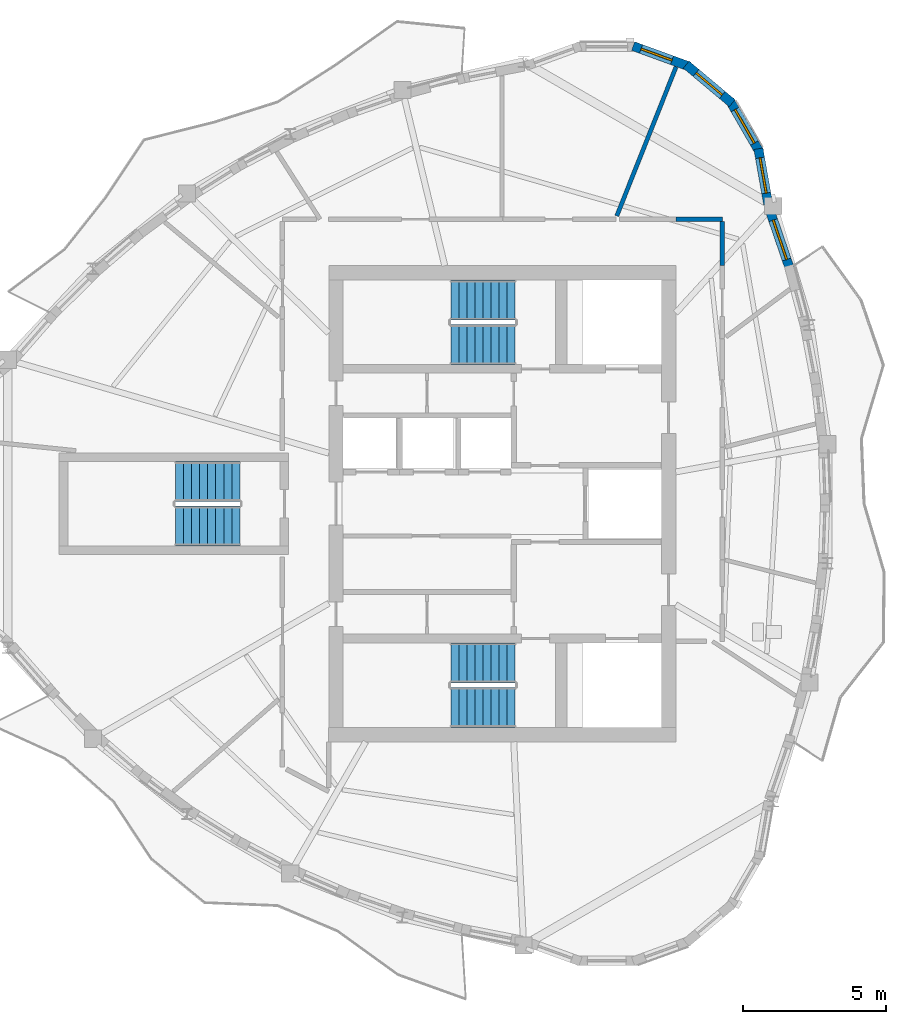
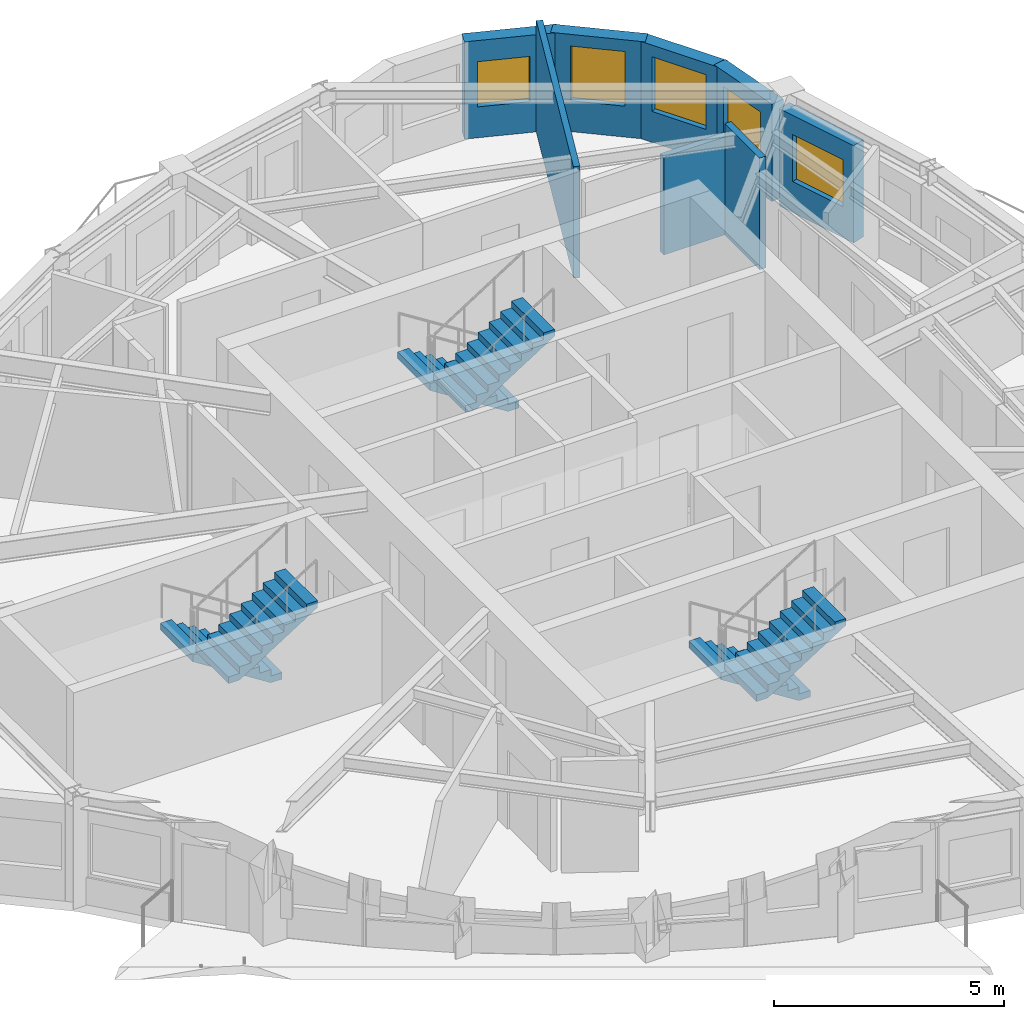
# One storey, part 7 of 11: 8 walls, 6 stair flights, 5 windows, 5 openings, 3 elements without a shape of their own.
"""IFC4 building model written with IfcOpenShell, lengths in metres."""

from ifc_helpers import new_model, si_unit, direction, frame, frame_2d, origin, place, context, subcontext, project, spatial, polyline, rectangle, outline, extrude, source, transform, mapped, material, layer, layer_set, type_object, element, fill, aggregate, save


model = new_model("IFC4")

# Units and contexts
model_context = context("Model", 3, precision=1e-05, world=origin(), true_north=direction((0.0, 1.0)))
body_context = subcontext(model_context, "Body", "Model", "MODEL_VIEW")
ifc_project = project(units=[si_unit("LENGTHUNIT", "METRE"), si_unit("AREAUNIT", "SQUARE_METRE"), si_unit("VOLUMEUNIT", "CUBIC_METRE"), si_unit("PLANEANGLEUNIT", "RADIAN"), si_unit("MASSUNIT", "GRAM", prefix="KILO")], contexts=[model_context])

# Site, building, storey
site_placement = place(None, origin())
site = spatial("IfcSite", under=ifc_project, at=site_placement, CompositionType="ELEMENT")
building_placement = place(site_placement, origin())
building = spatial("IfcBuilding", under=site, at=building_placement, Name="Qafzar Sky-Pleat Residences", CompositionType="ELEMENT")
storey_placement = place(building_placement, frame((0.0, 0.0, 240.39990234375)))
storey = spatial("IfcBuildingStorey", under=building, at=storey_placement, Name="L72", CompositionType="ELEMENT", Elevation=240.39990234375)

# Walls
ifc_material_1 = material(Name="Acoustic gypsum plasterboard partition", Category="gypsum")
ifc_layer_1 = layer(ifc_material_1, 0.159912109375)
ifc_layer_set_1 = layer_set([ifc_layer_1], Name="Acoustic gypsum plasterboard partition")
wall_type_1 = type_object("IfcWallType", Name="PART-COR-160", PredefinedType="PARTITIONING", material=ifc_layer_set_1)
wall_1_placement = place(storey_placement, frame((36.4150390625, 35.919921875, 0.0), z_axis=(0.0, 0.0, 1.0), x_axis=(1.0, 0.0, 0.0)))
element("IfcWall", 1, at=wall_1_placement, inside=storey, type_object=wall_type_1, Name="L72 Partition Wall PART-L72-PW-024", PredefinedType="PARTITIONING", context=body_context, shape_type="SweptSolid", body=[
    extrude(rectangle(XDim=1.60498046875, YDim=0.159912109375, at=frame_2d((0.802490234375, 0.0))), origin(), (0.0, 0.0, 1.0), 2.59814453125),
])
wall_2_placement = place(storey_placement, frame((38.02001953125, 34.31494140625, 0.0), z_axis=(0.0, 0.0, 1.0), x_axis=(0.0, 1.0, 0.0)))
element("IfcWall", 2, at=wall_2_placement, inside=storey, type_object=wall_type_1, Name="L72 Partition Wall PART-L72-PW-025", PredefinedType="PARTITIONING", context=body_context, shape_type="SweptSolid", body=[
    extrude(rectangle(XDim=1.51708984375, YDim=0.159912109375, at=frame_2d((0.758544921875, 0.0))), origin(), (0.0, 0.0, 1.0), 2.960205078125),
])
ifc_layer_2 = layer(ifc_material_1, 0.14501953125)
ifc_layer_set_2 = layer_set([ifc_layer_2], Name="Acoustic gypsum plasterboard partition")
wall_type_2 = type_object("IfcWallType", Name="PART-UNIT-145", PredefinedType="PARTITIONING", material=ifc_layer_set_2)
wall_3_placement = place(storey_placement, frame((34.342529296875, 36.0341796875, 0.0), z_axis=(0.0, 0.0, 1.0), x_axis=(0.369712016487, 0.92914639582, 0.0)))
element("IfcWall", 3, at=wall_3_placement, inside=storey, type_object=wall_type_2, Name="L72 Partition Wall PART-L72-PW-011", PredefinedType="PARTITIONING", context=body_context, shape_type="SweptSolid", body=[
    extrude(rectangle(XDim=5.59375, YDim=0.14501953125, at=frame_2d((2.796875, 0.0))), origin(), (0.0, 0.0, 1.0), 2.960205078125),
])

# Wall, opening, window
ifc_material_2 = material(Name="Precast concrete C40/50 with honed Riyadh limestone", Category="concrete")
ifc_layer_3 = layer(ifc_material_2, 0.320068359375)
ifc_layer_set_3 = layer_set([ifc_layer_3], Name="Precast concrete C40/50 with honed Riyadh limestone")
wall_type_3 = type_object("IfcWallType", Name="WALL-EXT-320", PredefinedType="SOLIDWALL", material=ifc_layer_set_3)
wall_4_placement = place(storey_placement, frame((40.3662109375, 34.21923828125, 0.0), z_axis=(0.0, 0.0, 1.0), x_axis=(-0.32370378462, 0.946158475004, 0.0)))
wall_4 = element("IfcWall", 4, at=wall_4_placement, inside=storey, type_object=wall_type_3, Name="L72 Limestone Facade Wall 32", PredefinedType="SOLIDWALL", context=body_context, shape_type="SweptSolid", body=[
    extrude(rectangle(XDim=2.142822265625, YDim=0.320068359375, at=frame_2d((1.0712890625, 0.0))), origin(), (0.0, 0.0, 1.0), 2.580078125),
])
opening_1_placement = place(wall_4_placement, frame((0.311279296875, 0.0, 0.820068359375)))
opening_1 = element("IfcOpeningElement", 5, at=opening_1_placement, cuts=wall_4, Name="Opening WN-15", PredefinedType="OPENING", context=body_context, shape_type="SweptSolid", body=[
    extrude(rectangle(XDim=1.449951171875, YDim=1.25, at=frame_2d((0.72509765625, 0.625))), frame((0.0, 0.169921875, 0.0), z_axis=(0.0, -1.0, 0.0), x_axis=(1.0, 0.0, 0.0)), (0.0, 0.0, 1.0), 0.340087890625),
])
ifc_material_3 = material(Name="Solar-control low-E glass in bronze aluminium frame", Category="glass")
window_type_1 = type_object("IfcWindowType", Name="WIN-15", PartitioningType="SINGLE_PANEL", PredefinedType="WINDOW", material=ifc_material_3)
shared_shape_1 = source(origin(), body_context, "Body", "SweptSolid", [
    extrude(rectangle(XDim=1.449951171875, YDim=1.25, at=frame_2d((0.72509765625, 0.625))), frame((0.0, 0.030029296875, 0.0), z_axis=(0.0, -1.0, 0.0), x_axis=(1.0, 0.0, 0.0)), (0.0, 0.0, 1.0), 0.06005859375),
])
window_1_placement = place(opening_1_placement, origin())
window_1 = element("IfcWindow", 6, at=window_1_placement, inside=storey, type_object=window_type_1, Name="L72 Punched Facade Window 32", OverallHeight=1.25, OverallWidth=1.449951171875, PartitioningType="SINGLE_PANEL", PredefinedType="WINDOW", context=body_context, shape_type="MappedRepresentation", body=[
    mapped(shared_shape_1, transform((0.0, 0.0, 0.0), x_axis=(1.0, 0.0, 0.0), y_axis=(0.0, 1.0, 0.0), z_axis=(0.0, 0.0, 1.0), scale=1.0)),
])
fill(opening_1, window_1)

wall_5_placement = place(storey_placement, frame((39.621826171875, 36.4443359375, 0.0), z_axis=(0.0, 0.0, 1.0), x_axis=(-0.173671780312, 0.984803590937, 0.0)))
wall_5 = element("IfcWall", 7, at=wall_5_placement, inside=storey, type_object=wall_type_3, Name="L72 Limestone Facade Wall 33", PredefinedType="SOLIDWALL", context=body_context, shape_type="SweptSolid", body=[
    extrude(rectangle(XDim=1.96240234375, YDim=0.320068359375, at=frame_2d((0.981201171875, 0.0))), origin(), (0.0, 0.0, 1.0), 2.580078125),
])
opening_2_placement = place(wall_5_placement, frame((0.39111328125, 0.0, 0.820068359375)))
opening_2 = element("IfcOpeningElement", 8, at=opening_2_placement, cuts=wall_5, Name="Opening WN-11", PredefinedType="OPENING", context=body_context, shape_type="SweptSolid", body=[
    extrude(rectangle(XDim=1.25, YDim=1.35009765625, at=frame_2d((0.625, 0.675048828125))), frame((0.0, 0.169921875, 0.0), z_axis=(0.0, -1.0, 0.0), x_axis=(1.0, 0.0, 0.0)), (0.0, 0.0, 1.0), 0.340087890625),
])
window_type_2 = type_object("IfcWindowType", Name="WIN-11", PartitioningType="SINGLE_PANEL", PredefinedType="WINDOW", material=ifc_material_3)
shared_shape_2 = source(origin(), body_context, "Body", "SweptSolid", [
    extrude(rectangle(XDim=1.25, YDim=1.35009765625, at=frame_2d((0.625, 0.675048828125))), frame((0.0, 0.030029296875, 0.0), z_axis=(0.0, -1.0, 0.0), x_axis=(1.0, 0.0, 0.0)), (0.0, 0.0, 1.0), 0.06005859375),
])
window_2_placement = place(opening_2_placement, origin())
window_2 = element("IfcWindow", 9, at=window_2_placement, inside=storey, type_object=window_type_2, Name="L72 Punched Facade Window 33", OverallHeight=1.35009765625, OverallWidth=1.25, PartitioningType="SINGLE_PANEL", PredefinedType="WINDOW", context=body_context, shape_type="MappedRepresentation", body=[
    mapped(shared_shape_2, transform((0.0, 0.0, 0.0), x_axis=(1.0, 0.0, 0.0), y_axis=(0.0, 1.0, 0.0), z_axis=(0.0, 0.0, 1.0), scale=1.0)),
])
fill(opening_2, window_2)

wall_6_placement = place(storey_placement, frame((39.32568359375, 38.25439453125, 0.0), z_axis=(0.0, 0.0, 1.0), x_axis=(-0.499995423472, 0.866028046028, 0.0)))
wall_6 = element("IfcWall", 10, at=wall_6_placement, inside=storey, type_object=wall_type_3, Name="L72 Limestone Facade Wall 34", PredefinedType="SOLIDWALL", context=body_context, shape_type="SweptSolid", body=[
    extrude(rectangle(XDim=2.09033203125, YDim=0.320068359375, at=frame_2d((1.045166015625, 0.0))), origin(), (0.0, 0.0, 1.0), 2.580078125),
])
opening_3_placement = place(wall_6_placement, frame((0.3701171875, 0.0, 0.820068359375)))
opening_3 = element("IfcOpeningElement", 11, at=opening_3_placement, cuts=wall_6, Name="Opening WN-04", PredefinedType="OPENING", context=body_context, shape_type="SweptSolid", body=[
    extrude(rectangle(XDim=1.35009765625, YDim=1.449951171875, at=frame_2d((0.675048828125, 0.72509765625))), frame((0.0, 0.169921875, 0.0), z_axis=(0.0, -1.0, 0.0), x_axis=(1.0, 0.0, 0.0)), (0.0, 0.0, 1.0), 0.340087890625),
])
window_type_3 = type_object("IfcWindowType", Name="WIN-04", PartitioningType="SINGLE_PANEL", PredefinedType="WINDOW", material=ifc_material_3)
shared_shape_3 = source(origin(), body_context, "Body", "SweptSolid", [
    extrude(rectangle(XDim=1.35009765625, YDim=1.449951171875, at=frame_2d((0.675048828125, 0.72509765625))), frame((0.0, 0.030029296875, 0.0), z_axis=(0.0, -1.0, 0.0), x_axis=(1.0, 0.0, 0.0)), (0.0, 0.0, 1.0), 0.06005859375),
])
window_3_placement = place(opening_3_placement, origin())
window_3 = element("IfcWindow", 12, at=window_3_placement, inside=storey, type_object=window_type_3, Name="L72 Punched Facade Window 34", OverallHeight=1.449951171875, OverallWidth=1.35009765625, PartitioningType="SINGLE_PANEL", PredefinedType="WINDOW", context=body_context, shape_type="MappedRepresentation", body=[
    mapped(shared_shape_3, transform((0.0, 0.0, 0.0), x_axis=(1.0, 0.0, 0.0), y_axis=(0.0, 1.0, 0.0), z_axis=(0.0, 0.0, 1.0), scale=1.0)),
])
fill(opening_3, window_3)

wall_7_placement = place(storey_placement, frame((38.364501953125, 39.96484375, 0.0), z_axis=(0.0, 0.0, 1.0), x_axis=(-0.766072824549, 0.642753784499, 0.0)))
wall_7 = element("IfcWall", 13, at=wall_7_placement, inside=storey, type_object=wall_type_3, Name="L72 Limestone Facade Wall 35", PredefinedType="SOLIDWALL", context=body_context, shape_type="SweptSolid", body=[
    extrude(rectangle(XDim=2.090576171875, YDim=0.320068359375, at=frame_2d((1.04541015625, 0.0))), origin(), (0.0, 0.0, 1.0), 2.580078125),
])
opening_4_placement = place(wall_7_placement, frame((0.4453125, 0.0, 0.820068359375)))
opening_4 = element("IfcOpeningElement", 14, at=opening_4_placement, cuts=wall_7, Name="Opening WN-05", PredefinedType="OPENING", context=body_context, shape_type="SweptSolid", body=[
    extrude(rectangle(XDim=1.199951171875, YDim=1.449951171875, at=frame_2d((0.60009765625, 0.72509765625))), frame((0.0, 0.169921875, 0.0), z_axis=(0.0, -1.0, 0.0), x_axis=(1.0, 0.0, 0.0)), (0.0, 0.0, 1.0), 0.340087890625),
])
window_type_4 = type_object("IfcWindowType", Name="WIN-05", PartitioningType="SINGLE_PANEL", PredefinedType="WINDOW", material=ifc_material_3)
shared_shape_4 = source(origin(), body_context, "Body", "SweptSolid", [
    extrude(rectangle(XDim=1.199951171875, YDim=1.449951171875, at=frame_2d((0.60009765625, 0.72509765625))), frame((0.0, 0.030029296875, 0.0), z_axis=(0.0, -1.0, 0.0), x_axis=(1.0, 0.0, 0.0)), (0.0, 0.0, 1.0), 0.06005859375),
])
window_4_placement = place(opening_4_placement, origin())
window_4 = element("IfcWindow", 15, at=window_4_placement, inside=storey, type_object=window_type_4, Name="L72 Punched Facade Window 35", OverallHeight=1.449951171875, OverallWidth=1.199951171875, PartitioningType="SINGLE_PANEL", PredefinedType="WINDOW", context=body_context, shape_type="MappedRepresentation", body=[
    mapped(shared_shape_4, transform((0.0, 0.0, 0.0), x_axis=(1.0, 0.0, 0.0), y_axis=(0.0, 1.0, 0.0), z_axis=(0.0, 0.0, 1.0), scale=1.0)),
])
fill(opening_4, window_4)

wall_8_placement = place(storey_placement, frame((36.8759765625, 41.243408203125, 0.0), z_axis=(0.0, 0.0, 1.0), x_axis=(-0.93973543134, 0.341902499383, 0.0)))
wall_8 = element("IfcWall", 16, at=wall_8_placement, inside=storey, type_object=wall_type_3, Name="L72 Limestone Facade Wall 36", PredefinedType="SOLIDWALL", context=body_context, shape_type="SweptSolid", body=[
    extrude(rectangle(XDim=2.090087890625, YDim=0.320068359375, at=frame_2d((1.044921875, 0.0))), origin(), (0.0, 0.0, 1.0), 2.580078125),
])
opening_5_placement = place(wall_8_placement, frame((0.646484375, 0.0, 0.820068359375)))
opening_5 = element("IfcOpeningElement", 17, at=opening_5_placement, cuts=wall_8, Name="Opening WN-16", PredefinedType="OPENING", context=body_context, shape_type="SweptSolid", body=[
    extrude(rectangle(XDim=1.14990234375, YDim=1.199951171875, at=frame_2d((0.574951171875, 0.60009765625))), frame((0.0, 0.169921875, 0.0), z_axis=(0.0, -1.0, 0.0), x_axis=(1.0, 0.0, 0.0)), (0.0, 0.0, 1.0), 0.340087890625),
])
window_type_5 = type_object("IfcWindowType", Name="WIN-16", PartitioningType="SINGLE_PANEL", PredefinedType="WINDOW", material=ifc_material_3)
shared_shape_5 = source(origin(), body_context, "Body", "SweptSolid", [
    extrude(rectangle(XDim=1.14990234375, YDim=1.199951171875, at=frame_2d((0.574951171875, 0.60009765625))), frame((0.0, 0.030029296875, 0.0), z_axis=(0.0, -1.0, 0.0), x_axis=(1.0, 0.0, 0.0)), (0.0, 0.0, 1.0), 0.06005859375),
])
window_5_placement = place(opening_5_placement, origin())
window_5 = element("IfcWindow", 18, at=window_5_placement, inside=storey, type_object=window_type_5, Name="L72 Punched Facade Window 36-2", OverallHeight=1.199951171875, OverallWidth=1.14990234375, PartitioningType="SINGLE_PANEL", PredefinedType="WINDOW", context=body_context, shape_type="MappedRepresentation", body=[
    mapped(shared_shape_5, transform((0.0, 0.0, 0.0), x_axis=(1.0, 0.0, 0.0), y_axis=(0.0, 1.0, 0.0), z_axis=(0.0, 0.0, 1.0), scale=1.0)),
])
fill(opening_5, window_5)

# Stair, stair flights
ifc_material_4 = material(Name="Concrete C40/50", Category="concrete")
stair_type = type_object("IfcStairType", Name="STAIR-H320", PredefinedType="HALF_TURN_STAIR", material=ifc_material_4)
stair_1_placement = place(storey_placement, origin())
stair_1 = element("IfcStair", 19, at=stair_1_placement, inside=storey, type_object=stair_type, Name="L72 Protected Exit Stair ST1", PredefinedType="HALF_TURN_STAIR")
stair_flight_type = type_object("IfcStairFlightType", Name="FLIGHT-H320", PredefinedType="STRAIGHT", material=ifc_material_4)
shared_shape_6 = source(origin(), body_context, "Body", "SweptSolid", [
    extrude(outline(polyline([(0.0, 0.0), (0.0, 0.177734375), (0.280029296875, 0.177734375), (0.280029296875, 0.35546875), (0.56005859375, 0.35546875), (0.56005859375, 0.533447265625), (0.840087890625, 0.533447265625), (0.840087890625, 0.711181640625), (1.1201171875, 0.711181640625), (1.1201171875, 0.888916015625), (1.39990234375, 0.888916015625), (1.39990234375, 1.066650390625), (1.679931640625, 1.066650390625), (1.679931640625, 1.244384765625), (1.9599609375, 1.244384765625), (1.9599609375, 1.422119140625), (2.239990234375, 1.422119140625), (2.239990234375, 1.60009765625), (2.239990234375, 1.24462890625), (0.27978515625, 0.0), (0.0, 0.0)])), frame((0.0, 0.699951171875, 0.0), z_axis=(0.0, -1.0, 0.0), x_axis=(1.0, 0.0, 0.0)), (0.0, 0.0, 1.0), 1.39990234375),
])
stair_flight_1_placement = place(storey_placement, frame((30.800048828125, 20.449951171875, 0.0), z_axis=(0.0, 0.0, 1.0), x_axis=(-1.0, 0.0, 0.0)))
stair_flight_1 = element("IfcStairFlight", 20, at=stair_flight_1_placement, type_object=stair_flight_type, Name="ST1 flight 1", NumberOfRisers=9, NumberOfTreads=8, PredefinedType="STRAIGHT", RiserHeight=0.177777778, TreadLength=0.28, context=body_context, shape_type="MappedRepresentation", body=[
    mapped(shared_shape_6, transform((0.0, 0.0, 0.0), x_axis=(1.0, 0.0, 0.0), y_axis=(0.0, 1.0, 0.0), z_axis=(0.0, 0.0, 1.0), scale=1.0)),
])
stair_flight_2_placement = place(storey_placement, frame((28.56005859375, 18.89990234375, 1.60009765625), z_axis=(0.0, 0.0, 1.0), x_axis=(1.0, 0.0, 0.0)))
stair_flight_2 = element("IfcStairFlight", 21, at=stair_flight_2_placement, type_object=stair_flight_type, Name="ST1 flight 2", NumberOfRisers=9, NumberOfTreads=8, PredefinedType="STRAIGHT", RiserHeight=0.177777778, TreadLength=0.28, context=body_context, shape_type="MappedRepresentation", body=[
    mapped(shared_shape_6, transform((0.0, 0.0, 0.0), x_axis=(1.0, 0.0, 0.0), y_axis=(0.0, 1.0, 0.0), z_axis=(0.0, 0.0, 1.0), scale=1.0)),
])
aggregate(stair_1, [stair_flight_1, stair_flight_2])

stair_2_placement = place(storey_placement, origin())
stair_2 = element("IfcStair", 22, at=stair_2_placement, inside=storey, type_object=stair_type, Name="L72 Protected Exit Stair ST2", PredefinedType="HALF_TURN_STAIR")
stair_flight_3_placement = place(storey_placement, frame((30.800048828125, 33.10009765625, 0.0), z_axis=(0.0, 0.0, 1.0), x_axis=(-1.0, 0.0, 0.0)))
stair_flight_3 = element("IfcStairFlight", 23, at=stair_flight_3_placement, type_object=stair_flight_type, Name="ST2 flight 1", NumberOfRisers=9, NumberOfTreads=8, PredefinedType="STRAIGHT", RiserHeight=0.177777778, TreadLength=0.28, context=body_context, shape_type="MappedRepresentation", body=[
    mapped(shared_shape_6, transform((0.0, 0.0, 0.0), x_axis=(1.0, 0.0, 0.0), y_axis=(0.0, 1.0, 0.0), z_axis=(0.0, 0.0, 1.0), scale=1.0)),
])
stair_flight_4_placement = place(storey_placement, frame((28.56005859375, 31.550048828125, 1.60009765625), z_axis=(0.0, 0.0, 1.0), x_axis=(1.0, 0.0, 0.0)))
stair_flight_4 = element("IfcStairFlight", 24, at=stair_flight_4_placement, type_object=stair_flight_type, Name="ST2 flight 2", NumberOfRisers=9, NumberOfTreads=8, PredefinedType="STRAIGHT", RiserHeight=0.177777778, TreadLength=0.28, context=body_context, shape_type="MappedRepresentation", body=[
    mapped(shared_shape_6, transform((0.0, 0.0, 0.0), x_axis=(1.0, 0.0, 0.0), y_axis=(0.0, 1.0, 0.0), z_axis=(0.0, 0.0, 1.0), scale=1.0)),
])
aggregate(stair_2, [stair_flight_3, stair_flight_4])

stair_3_placement = place(storey_placement, origin())
stair_3 = element("IfcStair", 25, at=stair_3_placement, inside=storey, type_object=stair_type, Name="L72 Protected Exit Stair ST3", PredefinedType="HALF_TURN_STAIR")
stair_flight_5_placement = place(storey_placement, frame((21.199951171875, 26.77490234375, 0.0), z_axis=(0.0, 0.0, 1.0), x_axis=(-1.0, 0.0, 0.0)))
stair_flight_5 = element("IfcStairFlight", 26, at=stair_flight_5_placement, type_object=stair_flight_type, Name="ST3 flight 1", NumberOfRisers=9, NumberOfTreads=8, PredefinedType="STRAIGHT", RiserHeight=0.177777778, TreadLength=0.28, context=body_context, shape_type="MappedRepresentation", body=[
    mapped(shared_shape_6, transform((0.0, 0.0, 0.0), x_axis=(1.0, 0.0, 0.0), y_axis=(0.0, 1.0, 0.0), z_axis=(0.0, 0.0, 1.0), scale=1.0)),
])
stair_flight_6_placement = place(storey_placement, frame((18.9599609375, 25.22509765625, 1.60009765625), z_axis=(0.0, 0.0, 1.0), x_axis=(1.0, 0.0, 0.0)))
stair_flight_6 = element("IfcStairFlight", 27, at=stair_flight_6_placement, type_object=stair_flight_type, Name="ST3 flight 2", NumberOfRisers=9, NumberOfTreads=8, PredefinedType="STRAIGHT", RiserHeight=0.177777778, TreadLength=0.28, context=body_context, shape_type="MappedRepresentation", body=[
    mapped(shared_shape_6, transform((0.0, 0.0, 0.0), x_axis=(1.0, 0.0, 0.0), y_axis=(0.0, 1.0, 0.0), z_axis=(0.0, 0.0, 1.0), scale=1.0)),
])
aggregate(stair_3, [stair_flight_5, stair_flight_6])

save(model, "model.ifc")
